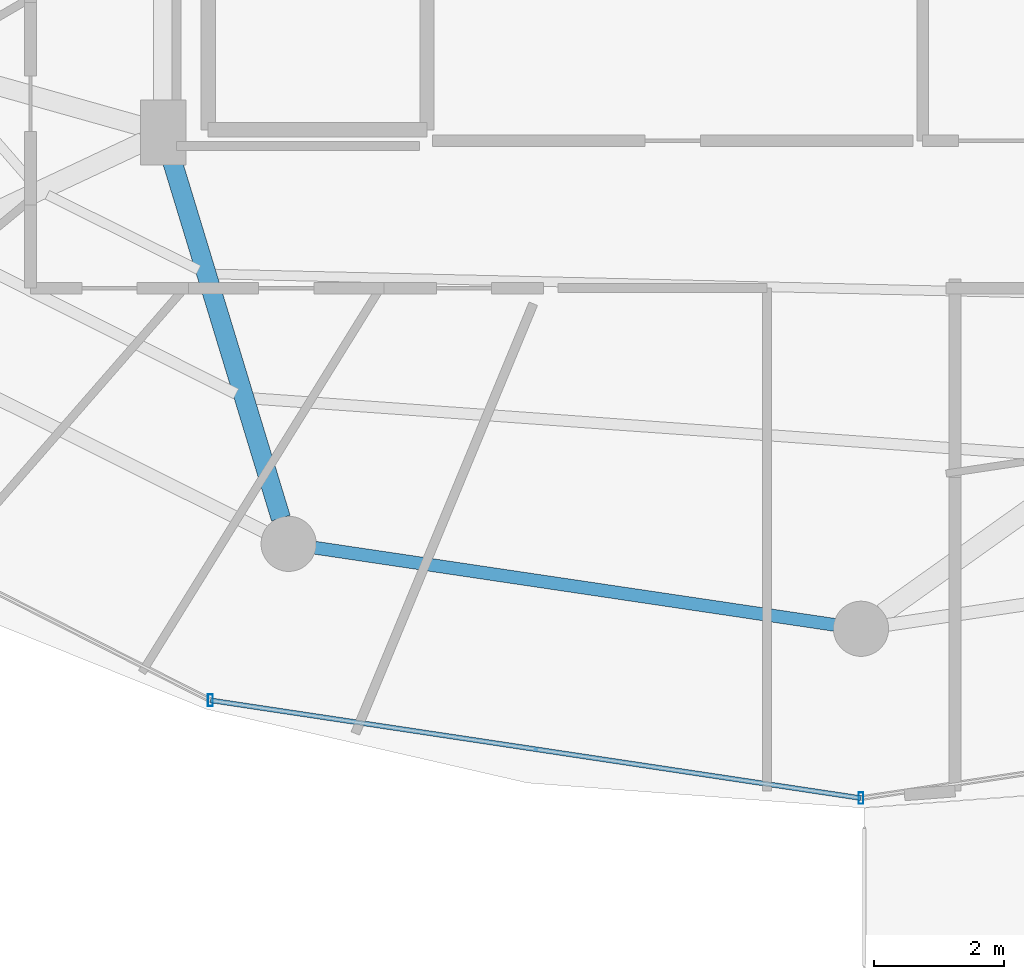
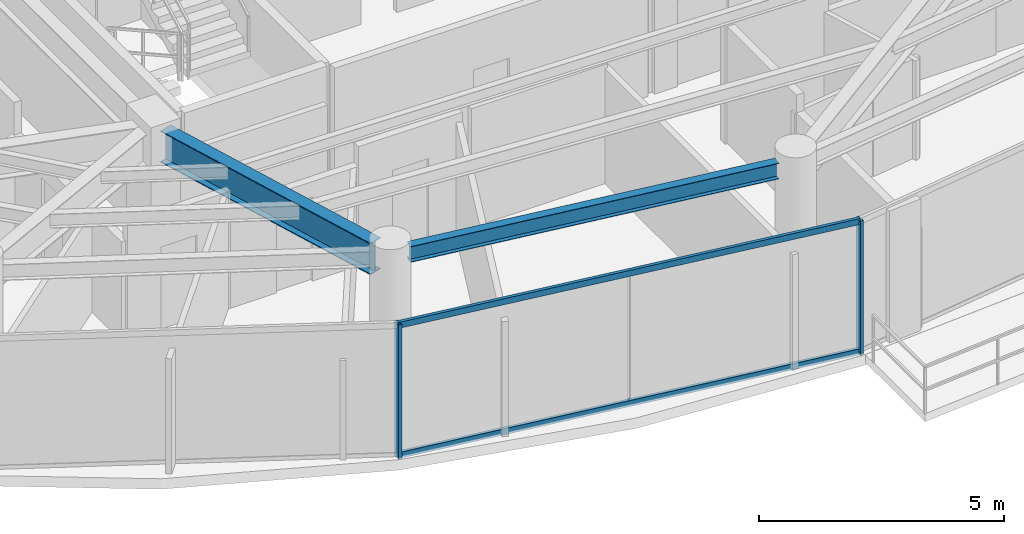
# One storey, part 4 of 30: 4 members, 2 beams, 1 element without a shape of its own.
"""IFC4 building model written with IfcOpenShell, lengths in metres."""

from ifc_helpers import new_model, si_unit, direction, frame, origin, origin_2d, place, context, subcontext, project, spatial, hollow_rectangle, i_section, extrude, material, material_profile, profile_set, type_object, element, aggregate, save


model = new_model("IFC4")

# Units and contexts
model_context = context("Model", 3, precision=1e-05, world=origin(), true_north=direction((0.0, 1.0)))
body_context = subcontext(model_context, "Body", "Model", "MODEL_VIEW")
ifc_project = project(units=[si_unit("LENGTHUNIT", "METRE"), si_unit("AREAUNIT", "SQUARE_METRE"), si_unit("VOLUMEUNIT", "CUBIC_METRE"), si_unit("PLANEANGLEUNIT", "RADIAN"), si_unit("MASSUNIT", "GRAM", prefix="KILO")], contexts=[model_context])

# Site, building, storey
site_placement = place(None, origin())
site = spatial("IfcSite", under=ifc_project, at=site_placement, CompositionType="ELEMENT")
building_placement = place(site_placement, origin())
building = spatial("IfcBuilding", under=site, at=building_placement, Name="Vorneva Point Tower", CompositionType="ELEMENT")
storey_placement = place(building_placement, frame((0.0, 0.0, 241.35009765625)))
storey = spatial("IfcBuildingStorey", under=building, at=storey_placement, Name="L65", CompositionType="ELEMENT", Elevation=241.35009765625)

# Beams
ifc_material_1 = material(Name="Steel S355", Category="steel")
ifc_material_profile_1 = material_profile(ifc_material_1, i_section(OverallWidth=0.300048828125, OverallDepth=0.7880859375, WebThickness=0.014404296875, FlangeThickness=0.02197265625, at=origin_2d()), Name="80Sh1")
ifc_profile_set_1 = profile_set([ifc_material_profile_1], Name="Steel S355")
beam_type_1 = type_object("IfcBeamType", Name="BM-GRD-80Sh1", PredefinedType="USERDEFINED", material=ifc_profile_set_1)
beam_1_placement = place(storey_placement, frame((29.058837890625, 10.50439453125, 2.89599609375), z_axis=(-0.291032624293, 0.956713129207, 0.0), x_axis=(-0.956713129207, -0.291032624293, 0.0)))
element("IfcBeam", 1, at=beam_1_placement, inside=storey, type_object=beam_type_1, Name="L65 Radial Primary Girder 12", ObjectType="GIRDER", PredefinedType="USERDEFINED", context=body_context, shape_type="SweptSolid", body=[
    extrude(i_section(OverallWidth=0.300048828125, OverallDepth=0.7880859375, WebThickness=0.014404296875, FlangeThickness=0.02197265625, at=origin_2d()), origin(), (0.0, 0.0, 1.0), 5.874755859375),
])
ifc_material_profile_2 = material_profile(ifc_material_1, i_section(OverallWidth=0.198974609375, OverallDepth=0.39599609375, WebThickness=0.007080078125, FlangeThickness=0.010986328125, at=origin_2d()), Name="40B1")
ifc_profile_set_2 = profile_set([ifc_material_profile_2], Name="Steel S355")
beam_type_2 = type_object("IfcBeamType", Name="BM-SPN-40B1", PredefinedType="SPANDREL", material=ifc_profile_set_2)
beam_2_placement = place(storey_placement, frame((29.584716796875, 10.049072265625, 3.091796875), z_axis=(0.989161657331, -0.146830567886, 0.0), x_axis=(0.146830567886, 0.989161657331, 0.0)))
element("IfcBeam", 2, at=beam_2_placement, inside=storey, type_object=beam_type_2, Name="L65 Perimeter Spandrel Ring Beam 12", PredefinedType="SPANDREL", context=body_context, shape_type="SweptSolid", body=[
    extrude(i_section(OverallWidth=0.198974609375, OverallDepth=0.39599609375, WebThickness=0.007080078125, FlangeThickness=0.010986328125, at=origin_2d()), origin(), (0.0, 0.0, 1.0), 8.097412109375),
])

# Curtain wall, members
ifc_material_2 = material(Name="Pale anodised aluminium", Category="aluminium")
curtain_wall_type = type_object("IfcCurtainWallType", Name="CW-RES-SYS", PredefinedType="NOTDEFINED", material=ifc_material_2)
curtain_wall_placement = place(storey_placement, origin())
curtain_wall = element("IfcCurtainWall", 3, at=curtain_wall_placement, inside=storey, type_object=curtain_wall_type, Name="L65 Unitised Curtain Wall CW-L65-R04", PredefinedType="NOTDEFINED")
ifc_material_profile_3 = material_profile(ifc_material_2, hollow_rectangle(XDim=0.074951171875, YDim=0.179931640625, WallThickness=0.00390625, at=origin_2d()), Name="AL-MUL 180x75x4")
ifc_profile_set_3 = profile_set([ifc_material_profile_3], Name="Pale anodised aluminium")
member_type_1 = type_object("IfcMemberType", Name="CW-MUL-180", PredefinedType="MULLION", material=ifc_profile_set_3)
member_1_placement = place(storey_placement, frame((27.9736328125, 7.697998046875, -0.0400390625), z_axis=(0.0, 0.0, 1.0), x_axis=(1.0, 0.0, 0.0)))
member_1 = element("IfcMember", 4, at=member_1_placement, type_object=member_type_1, Name="CW-L65-R04 Mullion 02", PredefinedType="MULLION", context=body_context, shape_type="SweptSolid", body=[
    extrude(hollow_rectangle(XDim=0.074951171875, YDim=0.179931640625, WallThickness=0.00390625, at=origin_2d()), origin(), (0.0, 0.0, 1.0), 3.35986328125),
])
member_2_placement = place(storey_placement, frame((38.0, 6.18994140625, -0.0400390625), z_axis=(0.0, 0.0, 1.0), x_axis=(1.0, 0.0, 0.0)))
member_2 = element("IfcMember", 5, at=member_2_placement, type_object=member_type_1, Name="CW-L65-R04 Mullion 03", PredefinedType="MULLION", context=body_context, shape_type="SweptSolid", body=[
    extrude(hollow_rectangle(XDim=0.074951171875, YDim=0.179931640625, WallThickness=0.00390625, at=origin_2d()), origin(), (0.0, 0.0, 1.0), 3.35986328125),
])
ifc_material_profile_4 = material_profile(ifc_material_2, hollow_rectangle(XDim=0.074951171875, YDim=0.14990234375, WallThickness=0.00390625, at=origin_2d()), Name="AL-TRN 150x75x4")
ifc_profile_set_4 = profile_set([ifc_material_profile_4], Name="Pale anodised aluminium")
member_type_2 = type_object("IfcMemberType", Name="CW-TRN-150", PredefinedType="USERDEFINED", material=ifc_profile_set_4)
member_3_placement = place(storey_placement, frame((27.9736328125, 7.697998046875, 0.02001953125), z_axis=(0.988876929856, -0.148736066907, 0.0), x_axis=(0.148736066907, 0.988876929856, 0.0)))
member_3 = element("IfcMember", 6, at=member_3_placement, type_object=member_type_2, Name="CW-L65-R04 Transom 02.1", ObjectType="TRANSOM", PredefinedType="USERDEFINED", context=body_context, shape_type="SweptSolid", body=[
    extrude(hollow_rectangle(XDim=0.074951171875, YDim=0.14990234375, WallThickness=0.00390625, at=origin_2d()), origin(), (0.0, 0.0, 1.0), 10.13916015625),
])
member_4_placement = place(storey_placement, frame((27.9736328125, 7.697998046875, 3.27001953125), z_axis=(0.988876929856, -0.148736066907, 0.0), x_axis=(0.148736066907, 0.988876929856, 0.0)))
member_4 = element("IfcMember", 7, at=member_4_placement, type_object=member_type_2, Name="CW-L65-R04 Transom 02.2", ObjectType="TRANSOM", PredefinedType="USERDEFINED", context=body_context, shape_type="SweptSolid", body=[
    extrude(hollow_rectangle(XDim=0.074951171875, YDim=0.14990234375, WallThickness=0.00390625, at=origin_2d()), origin(), (0.0, 0.0, 1.0), 10.13916015625),
])
aggregate(curtain_wall, [member_1, member_2, member_3, member_4])

save(model, "model.ifc")
